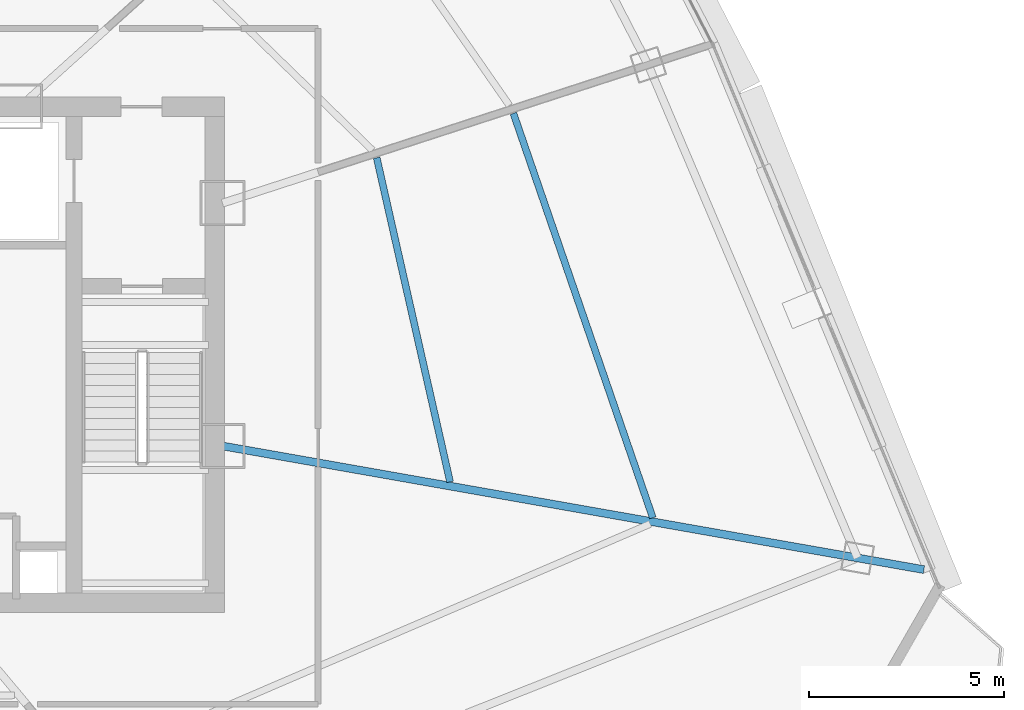
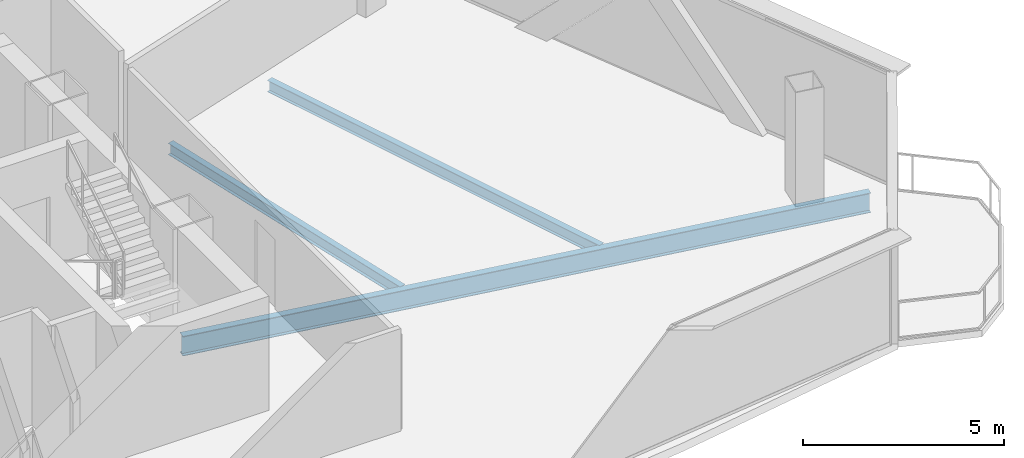
# One storey, part 13 of 33: 3 beams.
"""IFC4 building model written with IfcOpenShell, lengths in metres."""

from ifc_helpers import new_model, si_unit, direction, frame, origin, origin_2d, place, context, subcontext, project, spatial, i_section, extrude, source, transform, mapped, material, material_profile, profile_set, type_object, element, save


model = new_model("IFC4")

# Units and contexts
model_context = context("Model", 3, precision=1e-05, world=origin(), true_north=direction((0.0, 1.0)))
body_context = subcontext(model_context, "Body", "Model", "MODEL_VIEW")
ifc_project = project(units=[si_unit("LENGTHUNIT", "METRE"), si_unit("AREAUNIT", "SQUARE_METRE"), si_unit("VOLUMEUNIT", "CUBIC_METRE"), si_unit("PLANEANGLEUNIT", "RADIAN"), si_unit("MASSUNIT", "GRAM", prefix="KILO"), si_unit("THERMODYNAMICTEMPERATUREUNIT", "KELVIN"), si_unit("POWERUNIT", "WATT")], contexts=[model_context])

# Site, building, storey
site_placement = place(None, origin())
site = spatial("IfcSite", under=ifc_project, at=site_placement, CompositionType="ELEMENT")
building_placement = place(site_placement, origin())
building = spatial("IfcBuilding", under=site, at=building_placement, Name="Yunzhuo Pagoda Commons", CompositionType="ELEMENT")
storey_placement = place(building_placement, frame((0.0, 0.0, 307.39990234375)))
storey = spatial("IfcBuildingStorey", under=building, at=storey_placement, Name="L77", CompositionType="ELEMENT", Elevation=307.39990234375)

# Beams
ifc_material = material(Name="Structural steel Q355B", Category="steel")
ifc_material_profile_1 = material_profile(ifc_material, i_section(OverallWidth=0.175048828125, OverallDepth=0.35009765625, WebThickness=0.007080078125, FlangeThickness=0.010986328125, at=origin_2d()), Name="Structural steel Q355B")
ifc_profile_set_1 = profile_set([ifc_material_profile_1], Name="Structural steel Q355B")
beam_type_1 = type_object("IfcBeamType", Name="B-JS2 Joist HN 350x175x7x11", PredefinedType="JOIST", material=ifc_profile_set_1)
shared_shape_1 = source(origin(), body_context, "Body", "SweptSolid", [
    extrude(i_section(OverallWidth=0.175048828125, OverallDepth=0.35009765625, WebThickness=0.007080078125, FlangeThickness=0.010986328125, at=origin_2d()), origin(), (0.0, 0.0, 1.0), 8.508544921875),
])
beam_1_placement = place(storey_placement, frame((66.228759765625, 30.593505859375, -0.434814453125), z_axis=(-0.220769003385, 0.975326123481, 0.0), x_axis=(-0.975326123481, -0.220769003385, 0.0)))
element("IfcBeam", 1, at=beam_1_placement, inside=storey, type_object=beam_type_1, Name="L77 composite ring joist 1.5", PredefinedType="JOIST", context=body_context, shape_type="MappedRepresentation", body=[
    mapped(shared_shape_1, transform((0.0, 0.0, 0.0), scale=1.0)),
])
shared_shape_2 = source(origin(), body_context, "Body", "SweptSolid", [
    extrude(i_section(OverallWidth=0.175048828125, OverallDepth=0.35009765625, WebThickness=0.007080078125, FlangeThickness=0.010986328125, at=origin_2d()), origin(), (0.0, 0.0, 1.0), 10.954345703125),
])
beam_2_placement = place(storey_placement, frame((71.42041015625, 29.672607421875, -0.434814453125), z_axis=(-0.325839571137, 0.945425075763, 0.0), x_axis=(-0.945425075763, -0.325839571137, 0.0)))
element("IfcBeam", 2, at=beam_2_placement, inside=storey, type_object=beam_type_1, Name="L77 composite ring joist 2.5", PredefinedType="JOIST", context=body_context, shape_type="MappedRepresentation", body=[
    mapped(shared_shape_2, transform((0.0, 0.0, 0.0), scale=1.0)),
])
ifc_material_profile_2 = material_profile(ifc_material, i_section(OverallWidth=0.199951171875, OverallDepth=0.60009765625, WebThickness=0.010986328125, FlangeThickness=0.01708984375, at=origin_2d()), Name="Structural steel Q355B")
ifc_profile_set_2 = profile_set([ifc_material_profile_2], Name="Structural steel Q355B")
beam_type_2 = type_object("IfcBeamType", Name="B-RG3 Beam HN 600x200x11x17", PredefinedType="BEAM", material=ifc_profile_set_2)
shared_shape_3 = source(origin(), body_context, "Body", "SweptSolid", [
    extrude(i_section(OverallWidth=0.199951171875, OverallDepth=0.60009765625, WebThickness=0.010986328125, FlangeThickness=0.01708984375, at=origin_2d()), origin(), (0.0, 0.0, 1.0), 18.23828125),
])
beam_3_placement = place(storey_placement, frame((78.361083984375, 28.3466796875, -0.559814453125), z_axis=(-0.984810499087, 0.173632603184, 0.0), x_axis=(-0.173632603184, -0.984810499087, 0.0)))
element("IfcBeam", 3, at=beam_3_placement, inside=storey, type_object=beam_type_2, Name="L77 radial floor girder F2C1", PredefinedType="BEAM", context=body_context, shape_type="MappedRepresentation", body=[
    mapped(shared_shape_3, transform((0.0, 0.0, 0.0), scale=1.0)),
])

save(model, "model.ifc")
